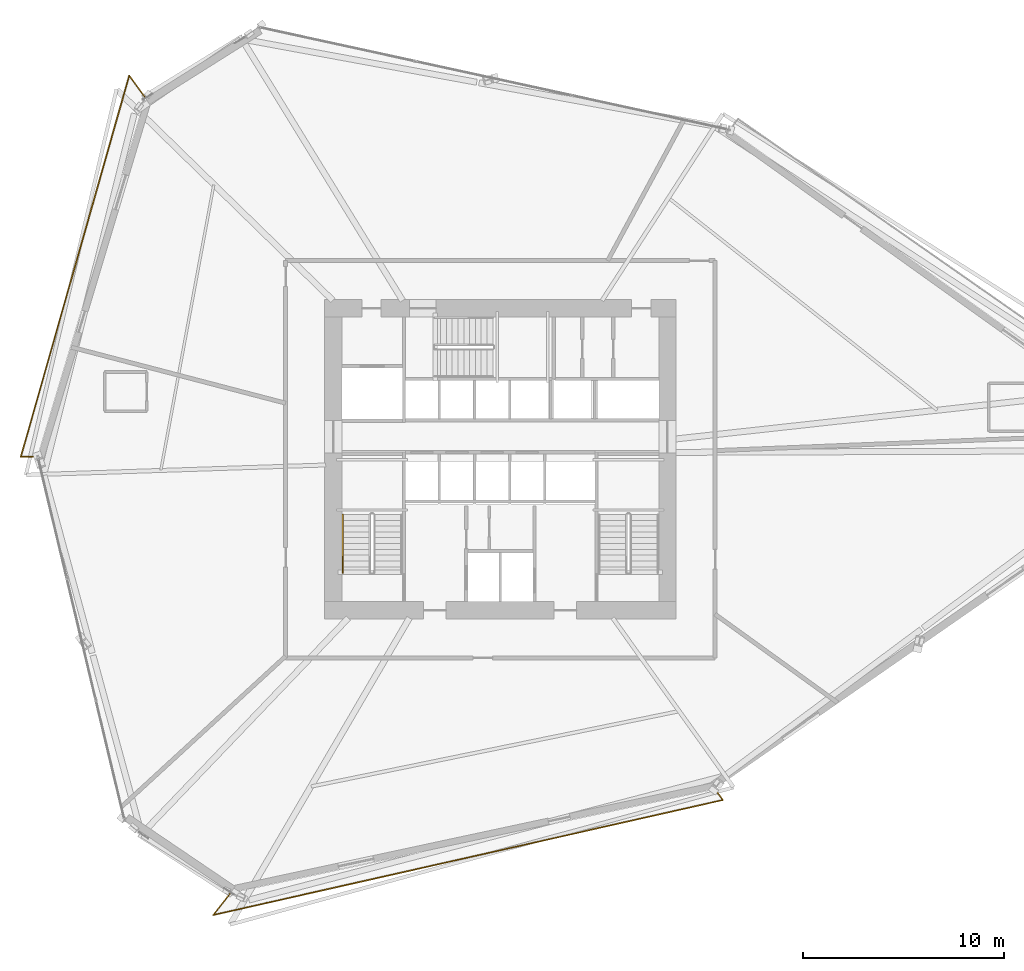
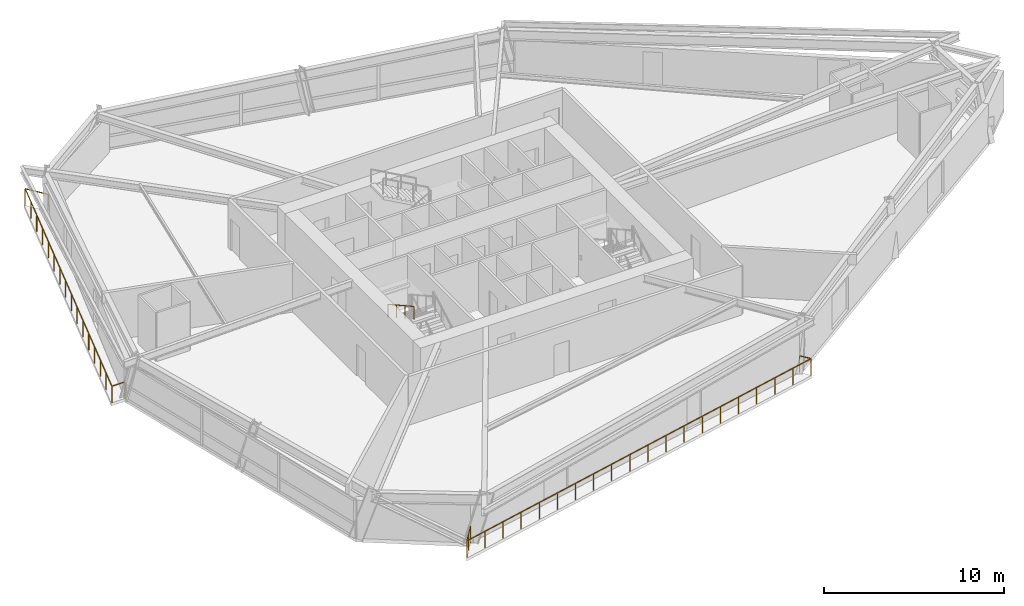
# One storey, part 19 of 21: 3 railings.
"""IFC4 building model written with IfcOpenShell, lengths in metres."""

from ifc_helpers import new_model, si_unit, direction, frame, origin, origin_2d, place, context, subcontext, project, spatial, rectangle, extrude, material, type_object, element, save


model = new_model("IFC4")

# Units and contexts
model_context = context("Model", 3, precision=1e-05, world=origin(), true_north=direction((0.0, 1.0)))
body_context = subcontext(model_context, "Body", "Model", "MODEL_VIEW")
ifc_project = project(units=[si_unit("LENGTHUNIT", "METRE"), si_unit("AREAUNIT", "SQUARE_METRE"), si_unit("VOLUMEUNIT", "CUBIC_METRE"), si_unit("PLANEANGLEUNIT", "RADIAN"), si_unit("MASSUNIT", "GRAM", prefix="KILO")], contexts=[model_context])

# Site, building, storey
site_placement = place(None, origin())
site = spatial("IfcSite", under=ifc_project, at=site_placement, CompositionType="ELEMENT")
building_placement = place(site_placement, origin())
building = spatial("IfcBuilding", under=site, at=building_placement, Name="Olszyna Solenne Hotel", CompositionType="ELEMENT")
storey_placement = place(building_placement, frame((0.0, 0.0, 39.949951171875)))
storey = spatial("IfcBuildingStorey", under=building, at=storey_placement, Name="L09", CompositionType="ELEMENT", Elevation=39.949951171875)

# Railings
ifc_material_1 = material(Name="Anodised bronze aluminium", Category="aluminium")
railing_type_1 = type_object("IfcRailingType", Name="GR-110", PredefinedType="BALUSTRADE", material=ifc_material_1)
railing_1_placement = place(storey_placement, frame((20.32080078125, 44.6025390625, 0.0)))
element("IfcRailing", 1, at=railing_1_placement, inside=storey, type_object=railing_type_1, Name="Loggia balcony balustrade guard GR-L09-LG2", PredefinedType="BALUSTRADE", context=body_context, shape_type="SweptSolid", body=[
    extrude(rectangle(XDim=0.048095703125, YDim=0.048095703125, at=origin_2d()), frame((0.0, 0.0, 1.1259765625), z_axis=(-0.590127530597, 0.807310038109, 0.0), x_axis=(-0.807310038109, -0.590127530597, 0.0)), (0.0, 0.0, 1.0), 1.37939453125),
    extrude(rectangle(XDim=0.048095703125, YDim=0.048095703125, at=origin_2d()), frame((-0.81396484375, 1.113525390625, 1.1259765625), z_axis=(-0.273505360113, -0.961870478801, 0.0), x_axis=(0.961870478801, -0.273505360113, 0.0)), (0.0, 0.0, 1.0), 19.736083984375),
    extrude(rectangle(XDim=0.048095703125, YDim=0.048095703125, at=origin_2d()), frame((-6.2119140625, -17.8701171875, 1.1259765625), z_axis=(0.999999958355, 0.000288600277, 0.0), x_axis=(-0.000288600277, 0.999999958355, 0.0)), (0.0, 0.0, 1.0), 0.845947265625),
    extrude(rectangle(XDim=0.0419921875, YDim=0.0419921875, at=origin_2d()), origin(), (0.0, 0.0, 1.0), 1.101806640625),
    extrude(rectangle(XDim=0.0419921875, YDim=0.0419921875, at=origin_2d()), frame((-0.81396484375, 1.113525390625, 0.0)), (0.0, 0.0, 1.0), 1.101806640625),
    extrude(rectangle(XDim=0.0419921875, YDim=0.0419921875, at=origin_2d()), frame((-1.173828125, -0.152099609375, 0.0)), (0.0, 0.0, 1.0), 1.101806640625),
    extrude(rectangle(XDim=0.0419921875, YDim=0.0419921875, at=origin_2d()), frame((-1.53369140625, -1.417724609375, 0.0)), (0.0, 0.0, 1.0), 1.101806640625),
    extrude(rectangle(XDim=0.0419921875, YDim=0.0419921875, at=origin_2d()), frame((-1.8935546875, -2.68310546875, 0.0)), (0.0, 0.0, 1.0), 1.101806640625),
    extrude(rectangle(XDim=0.0419921875, YDim=0.0419921875, at=origin_2d()), frame((-2.25341796875, -3.94873046875, 0.0)), (0.0, 0.0, 1.0), 1.101806640625),
    extrude(rectangle(XDim=0.0419921875, YDim=0.0419921875, at=origin_2d()), frame((-2.61328125, -5.21435546875, 0.0)), (0.0, 0.0, 1.0), 1.101806640625),
    extrude(rectangle(XDim=0.0419921875, YDim=0.0419921875, at=origin_2d()), frame((-2.97314453125, -6.47998046875, 0.0)), (0.0, 0.0, 1.0), 1.101806640625),
    extrude(rectangle(XDim=0.0419921875, YDim=0.0419921875, at=origin_2d()), frame((-3.3330078125, -7.74560546875, 0.0)), (0.0, 0.0, 1.0), 1.101806640625),
    extrude(rectangle(XDim=0.0419921875, YDim=0.0419921875, at=origin_2d()), frame((-3.69287109375, -9.010986328125, 0.0)), (0.0, 0.0, 1.0), 1.101806640625),
    extrude(rectangle(XDim=0.0419921875, YDim=0.0419921875, at=origin_2d()), frame((-4.052734375, -10.276611328125, 0.0)), (0.0, 0.0, 1.0), 1.101806640625),
    extrude(rectangle(XDim=0.0419921875, YDim=0.0419921875, at=origin_2d()), frame((-4.41259765625, -11.542236328125, 0.0)), (0.0, 0.0, 1.0), 1.101806640625),
    extrude(rectangle(XDim=0.0419921875, YDim=0.0419921875, at=origin_2d()), frame((-4.7724609375, -12.807861328125, 0.0)), (0.0, 0.0, 1.0), 1.101806640625),
    extrude(rectangle(XDim=0.0419921875, YDim=0.0419921875, at=origin_2d()), frame((-5.13232421875, -14.073486328125, 0.0)), (0.0, 0.0, 1.0), 1.101806640625),
    extrude(rectangle(XDim=0.0419921875, YDim=0.0419921875, at=origin_2d()), frame((-5.4921875, -15.3388671875, 0.0)), (0.0, 0.0, 1.0), 1.101806640625),
    extrude(rectangle(XDim=0.0419921875, YDim=0.0419921875, at=origin_2d()), frame((-5.85205078125, -16.6044921875, 0.0)), (0.0, 0.0, 1.0), 1.101806640625),
    extrude(rectangle(XDim=0.0419921875, YDim=0.0419921875, at=origin_2d()), frame((-6.2119140625, -17.8701171875, 0.0)), (0.0, 0.0, 1.0), 1.101806640625),
    extrude(rectangle(XDim=0.0419921875, YDim=0.0419921875, at=origin_2d()), frame((-5.365966796875, -17.869873046875, 0.0)), (0.0, 0.0, 1.0), 1.101806640625),
])
railing_2_placement = place(storey_placement, frame((24.57373046875, 5.002685546875, 0.0)))
element("IfcRailing", 2, at=railing_2_placement, inside=storey, type_object=railing_type_1, Name="Loggia balcony balustrade guard GR-L09-LG3", PredefinedType="BALUSTRADE", context=body_context, shape_type="SweptSolid", body=[
    extrude(rectangle(XDim=0.048095703125, YDim=0.048095703125, at=origin_2d()), frame((0.0, 0.0, 1.1259765625), z_axis=(-0.619074933444, -0.785331921408, 0.0), x_axis=(0.785331921408, -0.619074933444, 0.0)), (0.0, 0.0, 1.0), 1.41845703125),
    extrude(rectangle(XDim=0.048095703125, YDim=0.048095703125, at=origin_2d()), frame((-0.878173828125, -1.114013671875, 1.1259765625), z_axis=(0.975483620907, 0.220072045798, 0.0), x_axis=(-0.220072045798, 0.975483620907, 0.0)), (0.0, 0.0, 1.0), 26.033447265625),
    extrude(rectangle(XDim=0.048095703125, YDim=0.048095703125, at=origin_2d()), frame((24.51708984375, 4.615234375, 1.1259765625), z_axis=(-0.590043212455, 0.807371666233, 0.0), x_axis=(-0.807371666233, -0.590043212455, 0.0)), (0.0, 0.0, 1.0), 0.689697265625),
    extrude(rectangle(XDim=0.0419921875, YDim=0.0419921875, at=origin_2d()), origin(), (0.0, 0.0, 1.0), 1.101806640625),
    extrude(rectangle(XDim=0.0419921875, YDim=0.0419921875, at=origin_2d()), frame((-0.43896484375, -0.55712890625, 0.0)), (0.0, 0.0, 1.0), 1.101806640625),
    extrude(rectangle(XDim=0.0419921875, YDim=0.0419921875, at=origin_2d()), frame((-0.878173828125, -1.114013671875, 0.0)), (0.0, 0.0, 1.0), 1.101806640625),
    extrude(rectangle(XDim=0.0419921875, YDim=0.0419921875, at=origin_2d()), frame((0.45849609375, -0.8125, 0.0)), (0.0, 0.0, 1.0), 1.101806640625),
    extrude(rectangle(XDim=0.0419921875, YDim=0.0419921875, at=origin_2d()), frame((1.794921875, -0.510986328125, 0.0)), (0.0, 0.0, 1.0), 1.101806640625),
    extrude(rectangle(XDim=0.0419921875, YDim=0.0419921875, at=origin_2d()), frame((3.131591796875, -0.20947265625, 0.0)), (0.0, 0.0, 1.0), 1.101806640625),
    extrude(rectangle(XDim=0.0419921875, YDim=0.0419921875, at=origin_2d()), frame((4.46826171875, 0.092041015625, 0.0)), (0.0, 0.0, 1.0), 1.101806640625),
    extrude(rectangle(XDim=0.0419921875, YDim=0.0419921875, at=origin_2d()), frame((5.8046875, 0.393798828125, 0.0)), (0.0, 0.0, 1.0), 1.101806640625),
    extrude(rectangle(XDim=0.0419921875, YDim=0.0419921875, at=origin_2d()), frame((7.141357421875, 0.6953125, 0.0)), (0.0, 0.0, 1.0), 1.101806640625),
    extrude(rectangle(XDim=0.0419921875, YDim=0.0419921875, at=origin_2d()), frame((8.47802734375, 0.996826171875, 0.0)), (0.0, 0.0, 1.0), 1.101806640625),
    extrude(rectangle(XDim=0.0419921875, YDim=0.0419921875, at=origin_2d()), frame((9.814453125, 1.29833984375, 0.0)), (0.0, 0.0, 1.0), 1.101806640625),
    extrude(rectangle(XDim=0.0419921875, YDim=0.0419921875, at=origin_2d()), frame((11.151123046875, 1.599853515625, 0.0)), (0.0, 0.0, 1.0), 1.101806640625),
    extrude(rectangle(XDim=0.0419921875, YDim=0.0419921875, at=origin_2d()), frame((12.48779296875, 1.9013671875, 0.0)), (0.0, 0.0, 1.0), 1.101806640625),
    extrude(rectangle(XDim=0.0419921875, YDim=0.0419921875, at=origin_2d()), frame((13.824462890625, 2.202880859375, 0.0)), (0.0, 0.0, 1.0), 1.101806640625),
    extrude(rectangle(XDim=0.0419921875, YDim=0.0419921875, at=origin_2d()), frame((15.160888671875, 2.50439453125, 0.0)), (0.0, 0.0, 1.0), 1.101806640625),
    extrude(rectangle(XDim=0.0419921875, YDim=0.0419921875, at=origin_2d()), frame((16.49755859375, 2.805908203125, 0.0)), (0.0, 0.0, 1.0), 1.101806640625),
    extrude(rectangle(XDim=0.0419921875, YDim=0.0419921875, at=origin_2d()), frame((17.834228515625, 3.107421875, 0.0)), (0.0, 0.0, 1.0), 1.101806640625),
    extrude(rectangle(XDim=0.0419921875, YDim=0.0419921875, at=origin_2d()), frame((19.170654296875, 3.4091796875, 0.0)), (0.0, 0.0, 1.0), 1.101806640625),
    extrude(rectangle(XDim=0.0419921875, YDim=0.0419921875, at=origin_2d()), frame((20.50732421875, 3.710693359375, 0.0)), (0.0, 0.0, 1.0), 1.101806640625),
    extrude(rectangle(XDim=0.0419921875, YDim=0.0419921875, at=origin_2d()), frame((21.843994140625, 4.01220703125, 0.0)), (0.0, 0.0, 1.0), 1.101806640625),
    extrude(rectangle(XDim=0.0419921875, YDim=0.0419921875, at=origin_2d()), frame((23.180419921875, 4.313720703125, 0.0)), (0.0, 0.0, 1.0), 1.101806640625),
    extrude(rectangle(XDim=0.0419921875, YDim=0.0419921875, at=origin_2d()), frame((24.51708984375, 4.615234375, 0.0)), (0.0, 0.0, 1.0), 1.101806640625),
    extrude(rectangle(XDim=0.0419921875, YDim=0.0419921875, at=origin_2d()), frame((24.110107421875, 5.172119140625, 0.0)), (0.0, 0.0, 1.0), 1.101806640625),
])
ifc_material_2 = material(Name="Steel S355J2", Category="steel")
railing_type_2 = type_object("IfcRailingType", Name="HR-090", PredefinedType="HANDRAIL", material=ifc_material_2)
railing_3_placement = place(storey_placement, frame((30.14990234375, 23.85009765625, 1.9365234375)))
element("IfcRailing", 3, at=railing_3_placement, inside=storey, type_object=railing_type_2, Name="L09 ST1 stair handrail 2", PredefinedType="HANDRAIL", context=body_context, shape_type="SweptSolid", body=[
    extrude(rectangle(XDim=0.048095703125, YDim=0.048095703125, at=origin_2d()), frame((0.0, 0.0, 0.8759765625), z_axis=(0.0, -0.873858693841, 0.486179990537), x_axis=(1.0, 0.0, 0.0)), (0.0, 0.0, 1.0), 3.31884765625),
    extrude(rectangle(XDim=0.0419921875, YDim=0.0419921875, at=origin_2d()), origin(), (0.0, 0.0, 1.0), 0.851806640625),
    extrude(rectangle(XDim=0.0419921875, YDim=0.0419921875, at=origin_2d()), frame((0.0, -0.966796875, 0.537841796875)), (0.0, 0.0, 1.0), 0.851806640625),
    extrude(rectangle(XDim=0.0419921875, YDim=0.0419921875, at=origin_2d()), frame((0.0, -1.933349609375, 1.07568359375)), (0.0, 0.0, 1.0), 0.851806640625),
    extrude(rectangle(XDim=0.0419921875, YDim=0.0419921875, at=origin_2d()), frame((0.0, -2.900146484375, 1.613525390625)), (0.0, 0.0, 1.0), 0.851806640625),
])

save(model, "model.ifc")
